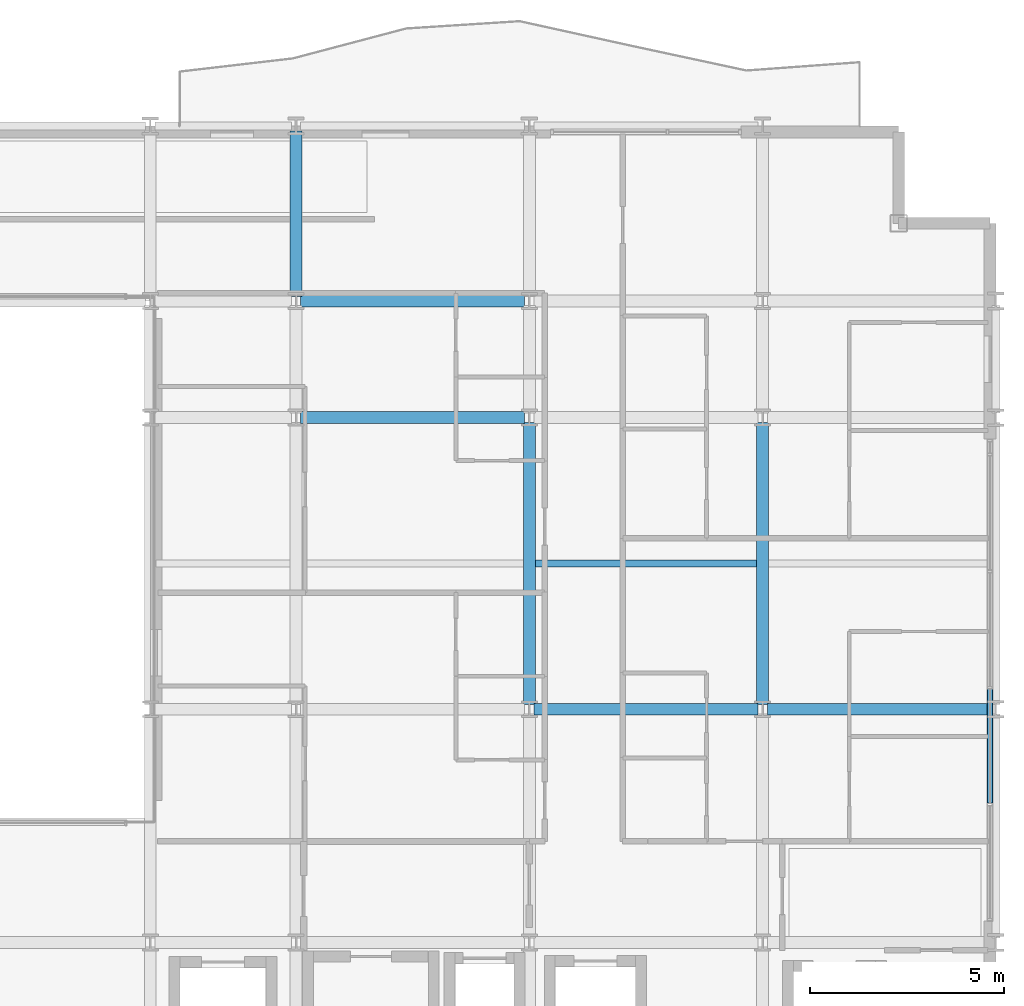
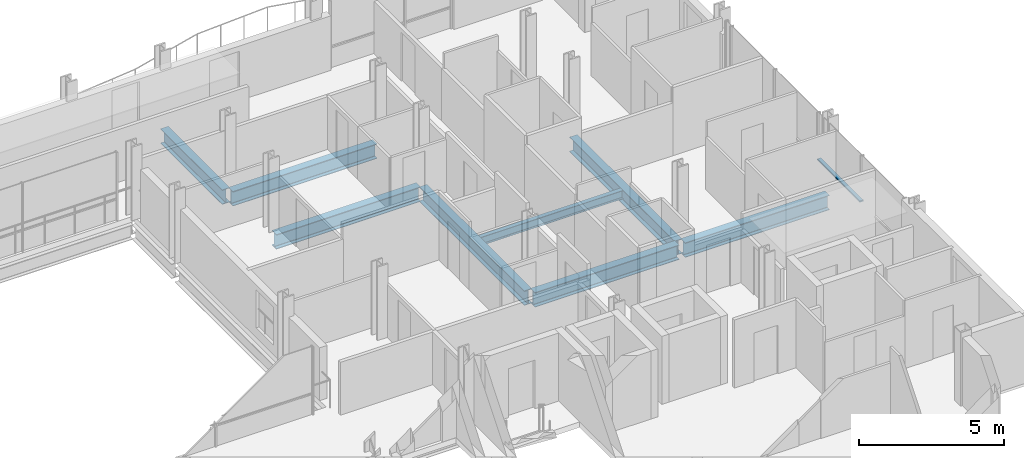
# One storey, part 18 of 41: 8 beams, 1 member, 1 element without a shape of its own.
"""IFC4 building model written with IfcOpenShell, lengths in metres."""

from ifc_helpers import new_model, si_unit, direction, frame, origin, origin_2d, place, context, subcontext, project, spatial, hollow_rectangle, i_section, extrude, material, layer, layer_set, material_profile, profile_set, type_object, element, aggregate, save


model = new_model("IFC4")

# Units and contexts
model_context = context("Model", 3, precision=1e-05, world=origin(), true_north=direction((0.0, 1.0)))
body_context = subcontext(model_context, "Body", "Model", "MODEL_VIEW")
ifc_project = project(units=[si_unit("LENGTHUNIT", "METRE"), si_unit("AREAUNIT", "SQUARE_METRE"), si_unit("VOLUMEUNIT", "CUBIC_METRE"), si_unit("PLANEANGLEUNIT", "RADIAN"), si_unit("MASSUNIT", "GRAM", prefix="KILO")], contexts=[model_context])

# Site, building, storey
site_placement = place(None, origin())
site = spatial("IfcSite", under=ifc_project, at=site_placement, CompositionType="ELEMENT")
building_placement = place(site_placement, origin())
building = spatial("IfcBuilding", under=site, at=building_placement, Name="Brevholm Reach", CompositionType="ELEMENT")
storey_placement = place(building_placement, frame((0.0, 0.0, 86.89990234375)))
storey = spatial("IfcBuildingStorey", under=building, at=storey_placement, Name="L25", CompositionType="ELEMENT", Elevation=86.89990234375)

# Beams
ifc_material_1 = material(Name="Structural Steel S355J2", Category="steel")
ifc_material_profile_1 = material_profile(ifc_material_1, i_section(OverallWidth=0.17138671875, OverallDepth=0.35498046875, WebThickness=0.00732421875, FlangeThickness=0.011474609375, FilletRadius=0.01025390625, at=origin_2d()), Name="UKB 356x171x51")
ifc_profile_set_1 = profile_set([ifc_material_profile_1], Name="Structural Steel S355J2")
beam_type_1 = type_object("IfcBeamType", Name="BM-B356", PredefinedType="BEAM", material=ifc_profile_set_1)
beam_1_placement = place(storey_placement, frame((48.153564453125, 19.75, -0.407470703125), z_axis=(1.0, 0.0, 0.0), x_axis=(0.0, 1.0, 0.0)))
element("IfcBeam", 1, at=beam_1_placement, inside=storey, type_object=beam_type_1, Name="L25 Composite Secondary Floor Beam", PredefinedType="BEAM", context=body_context, shape_type="SweptSolid", body=[
    extrude(i_section(OverallWidth=0.17138671875, OverallDepth=0.35498046875, WebThickness=0.00732421875, FlangeThickness=0.011474609375, FilletRadius=0.01025390625, at=origin_2d()), origin(), (0.0, 0.0, 1.0), 5.69287109375),
])
ifc_material_2 = material(Name="Structural Steel S355J2", Category="steel")
ifc_material_profile_2 = material_profile(ifc_material_2, i_section(OverallWidth=0.30712890625, OverallDepth=0.6201171875, WebThickness=0.01416015625, FlangeThickness=0.023681640625, FilletRadius=0.0166015625, at=origin_2d()), Name="UKB 610x305x179")
ifc_profile_set_2 = profile_set([ifc_material_profile_2], Name="Structural Steel S355J2")
beam_type_2 = type_object("IfcBeamType", Name="BM-UKB610H", PredefinedType="USERDEFINED", material=ifc_profile_set_2)
for number, where, z_axis, x_axis, name in (
    (2, (48.1201171875, 16.0, -0.5400390625), (1.0, 0.0, 0.0), (0.0, 1.0, 0.0), "L25 G-06 Framing Beam"),
    (3, (54.1201171875, 16.0, -0.5400390625), (1.0, 0.0, 0.0), (0.0, 1.0, 0.0), "L25 G-06 Framing Beam"),
    (4, (42.1201171875, 23.5, -0.5400390625), (1.0, 0.0, 0.0), (0.0, 1.0, 0.0), "L25 G-06 Framing Beam"),
    (5, (42.1201171875, 26.5, -0.5400390625), (1.0, 0.0, 0.0), (0.0, 1.0, 0.0), "L25 G-06 Framing Beam"),
):
    element("IfcBeam", number, at=place(storey_placement, frame(where, z_axis=z_axis, x_axis=x_axis)), inside=storey, type_object=beam_type_2, Name=name, ObjectType="GIRDER", PredefinedType="USERDEFINED", context=body_context, shape_type="SweptSolid", body=[
        extrude(i_section(OverallWidth=0.30712890625, OverallDepth=0.6201171875, WebThickness=0.01416015625, FlangeThickness=0.023681640625, FilletRadius=0.0166015625, at=origin_2d()), origin(), (0.0, 0.0, 1.0), 5.759765625),
    ])
beam_2_placement = place(storey_placement, frame((42.0, 26.6201171875, -0.5400390625), z_axis=(0.0, 1.0, 0.0), x_axis=(-1.0, 0.0, 0.0)))
element("IfcBeam", 6, at=beam_2_placement, inside=storey, type_object=beam_type_2, Name="L25 G-06 Framing Beam", ObjectType="GIRDER", PredefinedType="USERDEFINED", context=body_context, shape_type="SweptSolid", body=[
    extrude(i_section(OverallWidth=0.30712890625, OverallDepth=0.6201171875, WebThickness=0.01416015625, FlangeThickness=0.023681640625, FilletRadius=0.0166015625, at=origin_2d()), origin(), (0.0, 0.0, 1.0), 4.259765625),
])
for number, where, z_axis, x_axis, name in (
    (7, (48.0, 16.1201171875, -0.5400390625), (0.0, 1.0, 0.0), (-1.0, 0.0, 0.0), "L25 G-06 Framing Beam"),
    (8, (54.0, 16.1201171875, -0.5400390625), (0.0, 1.0, 0.0), (-1.0, 0.0, 0.0), "L25 G-06 Framing Beam"),
):
    element("IfcBeam", number, at=place(storey_placement, frame(where, z_axis=z_axis, x_axis=x_axis)), inside=storey, type_object=beam_type_2, Name=name, ObjectType="GIRDER", PredefinedType="USERDEFINED", context=body_context, shape_type="SweptSolid", body=[
        extrude(i_section(OverallWidth=0.30712890625, OverallDepth=0.6201171875, WebThickness=0.01416015625, FlangeThickness=0.023681640625, FilletRadius=0.0166015625, at=origin_2d()), origin(), (0.0, 0.0, 1.0), 7.259765625),
    ])

# Curtain wall, member
ifc_material_3 = material(Name="Dark Anodised Aluminium 6063-T6 and Solar-Control Glass", Category="aluminium")
ifc_layer = layer(ifc_material_3, 0.14990234375)
ifc_layer_set = layer_set([ifc_layer], Name="Dark Anodised Aluminium 6063-T6 and Solar-Control Glass")
curtain_wall_type = type_object("IfcCurtainWallType", Name="CW-01", PredefinedType="NOTDEFINED", material=ifc_layer_set)
curtain_wall_placement = place(storey_placement, origin())
curtain_wall = element("IfcCurtainWall", 9, at=curtain_wall_placement, inside=storey, type_object=curtain_wall_type, Name="L25 Curtain Wall CW-01", PredefinedType="NOTDEFINED")
ifc_material_4 = material(Name="Dark Anodised Aluminium 6063-T6", Category="aluminium")
ifc_material_profile_3 = material_profile(ifc_material_4, hollow_rectangle(XDim=0.06494140625, YDim=0.14990234375, WallThickness=0.0048828125, InnerFilletRadius=0.0048828125, OuterFilletRadius=0.010009765625, at=origin_2d()), Name="RHS 150x65x5")
ifc_profile_set_3 = profile_set([ifc_material_profile_3], Name="Dark Anodised Aluminium 6063-T6")
member_type = type_object("IfcMemberType", Name="CWT-150", PredefinedType="NOTDEFINED", material=ifc_profile_set_3)
member_placement = place(storey_placement, frame((59.85009765625, 13.58251953125, 0.900146484375), z_axis=(0.0, 1.0, 0.0), x_axis=(0.0, 0.0, 1.0)))
member = element("IfcMember", 10, at=member_placement, type_object=member_type, Name="CT-150 Transom 2.1", ObjectType="TRANSOM", PredefinedType="USERDEFINED", context=body_context, shape_type="SweptSolid", body=[
    extrude(hollow_rectangle(XDim=0.06494140625, YDim=0.14990234375, WallThickness=0.0048828125, InnerFilletRadius=0.0048828125, OuterFilletRadius=0.010009765625, at=origin_2d()), origin(), (0.0, 0.0, 1.0), 2.93505859375),
])
aggregate(curtain_wall, [member])

save(model, "model.ifc")
